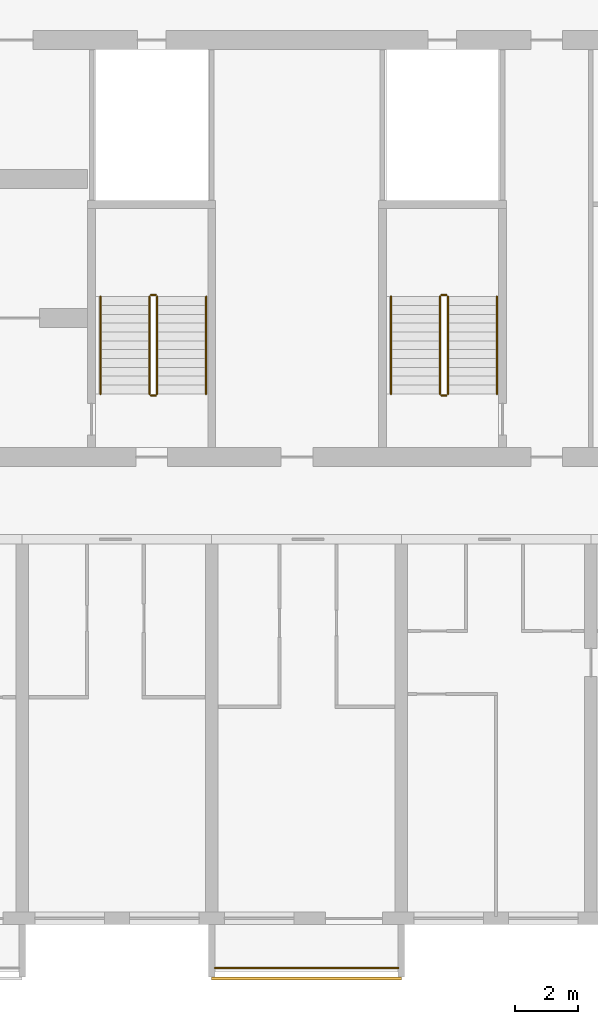
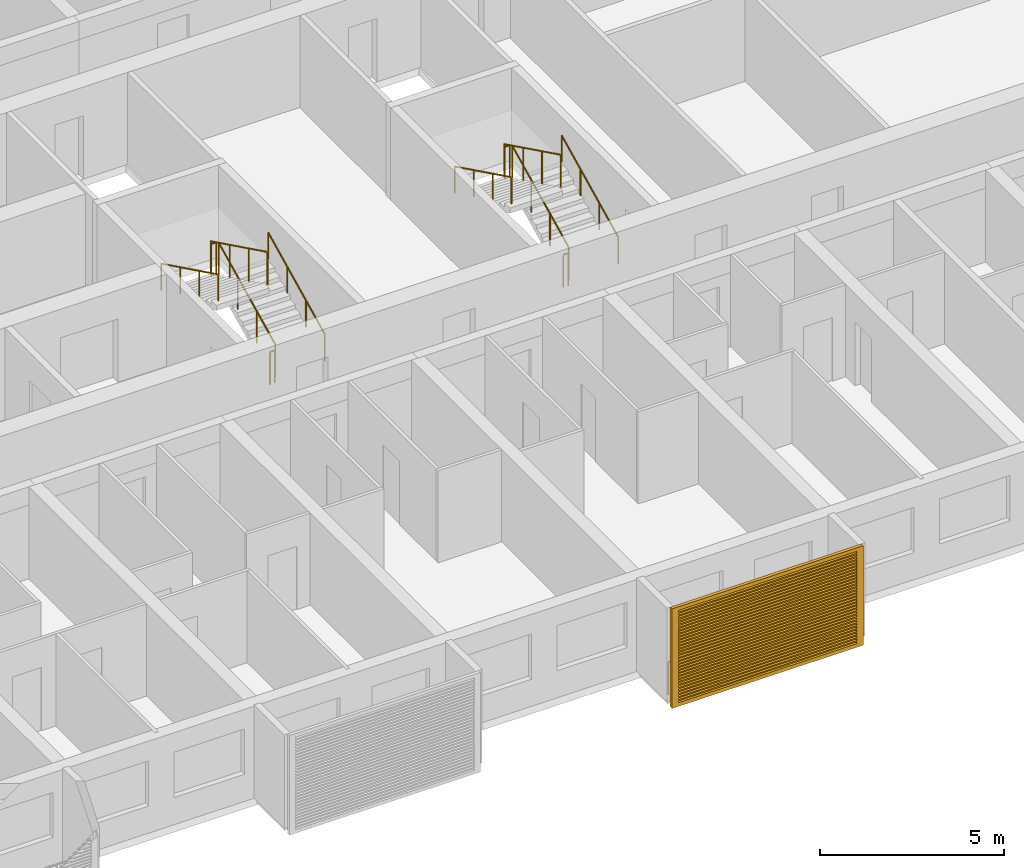
# One storey, part 38 of 44: 13 railings, 1 shading device.
"""IFC4 building model written with IfcOpenShell, lengths in metres."""

from ifc_helpers import new_model, si_unit, direction, frame, origin, origin_2d, place, context, subcontext, project, spatial, polyline, circle, outline, extrude, source, transform, mapped, material, material_profile, profile_set, type_object, element, save


model = new_model("IFC4")

# Units and contexts
model_context = context("Model", 3, precision=1e-05, world=origin(), true_north=direction((0.0, 1.0)))
body_context = subcontext(model_context, "Body", "Model", "MODEL_VIEW")
ifc_project = project(units=[si_unit("LENGTHUNIT", "METRE"), si_unit("AREAUNIT", "SQUARE_METRE"), si_unit("VOLUMEUNIT", "CUBIC_METRE"), si_unit("PLANEANGLEUNIT", "RADIAN"), si_unit("MASSUNIT", "GRAM", prefix="KILO")], contexts=[model_context])

# Site, building, storey
site_placement = place(None, origin())
site = spatial("IfcSite", under=ifc_project, at=site_placement, CompositionType="ELEMENT")
building_placement = place(site_placement, origin())
building = spatial("IfcBuilding", under=site, at=building_placement, Name="Poui Terraces", CompositionType="ELEMENT")
storey_placement = place(building_placement, frame((0.0, 0.0, 26.699951171875)))
storey = spatial("IfcBuildingStorey", under=building, at=storey_placement, Name="L06", CompositionType="ELEMENT", Elevation=26.699951171875)

# Railings
ifc_material_1 = material(Name="Painted steel fretwork", Category="steel")
railing_type_1 = type_object("IfcRailingType", Name="BALCONY GUARD 1100", PredefinedType="GUARDRAIL", material=ifc_material_1)
railing_1_placement = place(storey_placement, frame((72.10009765625, -1.570068359375, 0.0)))
element("IfcRailing", 1, at=railing_1_placement, inside=storey, type_object=railing_type_1, Name="BALCONY GUARD", PredefinedType="GUARDRAIL", context=body_context, shape_type="SweptSolid", body=[
    extrude(circle(Radius=0.02392578125, at=origin_2d()), frame((0.0, 0.0, 1.076171875), z_axis=(1.0, 0.0, 0.0), x_axis=(0.0, 1.0, 0.0)), (0.0, 0.0, 1.0), 5.7998046875),
    extrude(circle(Radius=0.02099609375, at=origin_2d()), origin(), (0.0, 0.0, 1.0), 1.052001953125),
    extrude(circle(Radius=0.02099609375, at=origin_2d()), frame((0.966552734375, 0.0, 0.0)), (0.0, 0.0, 1.0), 1.052001953125),
    extrude(circle(Radius=0.02099609375, at=origin_2d()), frame((1.933349609375, 0.0, 0.0)), (0.0, 0.0, 1.0), 1.052001953125),
    extrude(circle(Radius=0.02099609375, at=origin_2d()), frame((2.89990234375, 0.0, 0.0)), (0.0, 0.0, 1.0), 1.052001953125),
    extrude(circle(Radius=0.02099609375, at=origin_2d()), frame((3.866455078125, 0.0, 0.0)), (0.0, 0.0, 1.0), 1.052001953125),
    extrude(circle(Radius=0.02099609375, at=origin_2d()), frame((4.833251953125, 0.0, 0.0)), (0.0, 0.0, 1.0), 1.052001953125),
    extrude(circle(Radius=0.02099609375, at=origin_2d()), frame((5.7998046875, 0.0, 0.0)), (0.0, 0.0, 1.0), 1.052001953125),
])
ifc_material_2 = material(Name="Galvanised steel balustrade", Category="steel")
railing_type_2 = type_object("IfcRailingType", Name="STAIR GUARD 1100", PredefinedType="GUARDRAIL", material=ifc_material_2)
railing_2_placement = place(storey_placement, frame((70.27490234375, 16.60009765625, 0.137451171875)))
element("IfcRailing", 2, at=railing_2_placement, inside=storey, type_object=railing_type_2, Name="L06 ST-CE stair guard 1", PredefinedType="GUARDRAIL", context=body_context, shape_type="SweptSolid", body=[
    extrude(circle(Radius=0.02392578125, at=origin_2d()), frame((0.0, 0.0, 1.076171875), z_axis=(0.0, 0.897578036475, 0.440855609512), x_axis=(-1.0, 0.0, 0.0)), (0.0, 0.0, 1.0), 3.43115234375),
    extrude(circle(Radius=0.02099609375, at=origin_2d()), origin(), (0.0, 0.0, 1.0), 1.052001953125),
    extrude(circle(Radius=0.02099609375, at=origin_2d()), frame((0.0, 1.026611328125, 0.504150390625)), (0.0, 0.0, 1.0), 1.052001953125),
    extrude(circle(Radius=0.02099609375, at=origin_2d()), frame((0.0, 2.05322265625, 1.008544921875)), (0.0, 0.0, 1.0), 1.052001953125),
    extrude(circle(Radius=0.02099609375, at=origin_2d()), frame((0.0, 3.079833984375, 1.5126953125)), (0.0, 0.0, 1.0), 1.052001953125),
])
railing_3_placement = place(storey_placement, frame((70.22509765625, 19.72998046875, 1.650146484375)))
element("IfcRailing", 3, at=railing_3_placement, inside=storey, type_object=railing_type_2, Name="L06 ST-CE stair guard 2", PredefinedType="GUARDRAIL", context=body_context, shape_type="SweptSolid", body=[
    extrude(circle(Radius=0.02392578125, at=origin_2d()), frame((0.0, 0.0, 1.076171875), z_axis=(-1.0, 0.0, 0.0), x_axis=(0.0, -1.0, 0.0)), (0.0, 0.0, 1.0), 0.150146484375),
    extrude(circle(Radius=0.02099609375, at=origin_2d()), origin(), (0.0, 0.0, 1.0), 1.052001953125),
    extrude(circle(Radius=0.02099609375, at=origin_2d()), frame((-0.150146484375, 0.0, 0.0)), (0.0, 0.0, 1.0), 1.052001953125),
])
railing_4_placement = place(storey_placement, frame((70.02490234375, 19.679931640625, 1.78759765625)))
element("IfcRailing", 4, at=railing_4_placement, inside=storey, type_object=railing_type_2, Name="L06 ST-CE stair guard 3", PredefinedType="GUARDRAIL", context=body_context, shape_type="SweptSolid", body=[
    extrude(circle(Radius=0.02392578125, at=origin_2d()), frame((0.0, 0.0, 1.076171875), z_axis=(0.0, -0.897606190399, 0.440798283751), x_axis=(1.0, 0.0, 0.0)), (0.0, 0.0, 1.0), 3.43115234375),
    extrude(circle(Radius=0.02099609375, at=origin_2d()), origin(), (0.0, 0.0, 1.0), 1.052001953125),
    extrude(circle(Radius=0.02099609375, at=origin_2d()), frame((0.0, -1.026611328125, 0.504150390625)), (0.0, 0.0, 1.0), 1.052001953125),
    extrude(circle(Radius=0.02099609375, at=origin_2d()), frame((0.0, -2.05322265625, 1.00830078125)), (0.0, 0.0, 1.0), 1.052001953125),
    extrude(circle(Radius=0.02099609375, at=origin_2d()), frame((0.0, -3.079833984375, 1.512451171875)), (0.0, 0.0, 1.0), 1.052001953125),
])
railing_5_placement = place(storey_placement, frame((70.22509765625, 16.550048828125, 0.0)))
element("IfcRailing", 5, at=railing_5_placement, inside=storey, type_object=railing_type_2, Name="L06 ST-CE stair guard 4", PredefinedType="GUARDRAIL", context=body_context, shape_type="SweptSolid", body=[
    extrude(circle(Radius=0.02392578125, at=origin_2d()), frame((0.0, 0.0, 1.076171875), z_axis=(-1.0, 0.0, 0.0), x_axis=(0.0, -1.0, 0.0)), (0.0, 0.0, 1.0), 0.150146484375),
    extrude(circle(Radius=0.02099609375, at=origin_2d()), origin(), (0.0, 0.0, 1.0), 1.052001953125),
    extrude(circle(Radius=0.02099609375, at=origin_2d()), frame((-0.150146484375, 0.0, 0.0)), (0.0, 0.0, 1.0), 1.052001953125),
])
railing_6_placement = place(storey_placement, frame((79.47509765625, 16.60009765625, 0.137451171875)))
element("IfcRailing", 6, at=railing_6_placement, inside=storey, type_object=railing_type_2, Name="L06 ST-E stair guard 1", PredefinedType="GUARDRAIL", context=body_context, shape_type="SweptSolid", body=[
    extrude(circle(Radius=0.02392578125, at=origin_2d()), frame((0.0, 0.0, 1.076171875), z_axis=(0.0, 0.897578036475, 0.440855609512), x_axis=(-1.0, 0.0, 0.0)), (0.0, 0.0, 1.0), 3.43115234375),
    extrude(circle(Radius=0.02099609375, at=origin_2d()), origin(), (0.0, 0.0, 1.0), 1.052001953125),
    extrude(circle(Radius=0.02099609375, at=origin_2d()), frame((0.0, 1.026611328125, 0.504150390625)), (0.0, 0.0, 1.0), 1.052001953125),
    extrude(circle(Radius=0.02099609375, at=origin_2d()), frame((0.0, 2.05322265625, 1.008544921875)), (0.0, 0.0, 1.0), 1.052001953125),
    extrude(circle(Radius=0.02099609375, at=origin_2d()), frame((0.0, 3.079833984375, 1.5126953125)), (0.0, 0.0, 1.0), 1.052001953125),
])
railing_7_placement = place(storey_placement, frame((79.425048828125, 19.72998046875, 1.650146484375)))
element("IfcRailing", 7, at=railing_7_placement, inside=storey, type_object=railing_type_2, Name="L06 ST-E stair guard 2", PredefinedType="GUARDRAIL", context=body_context, shape_type="SweptSolid", body=[
    extrude(circle(Radius=0.02392578125, at=origin_2d()), frame((0.0, 0.0, 1.076171875), z_axis=(-1.0, 0.0, 0.0), x_axis=(0.0, -1.0, 0.0)), (0.0, 0.0, 1.0), 0.150146484375),
    extrude(circle(Radius=0.02099609375, at=origin_2d()), origin(), (0.0, 0.0, 1.0), 1.052001953125),
    extrude(circle(Radius=0.02099609375, at=origin_2d()), frame((-0.150146484375, 0.0, 0.0)), (0.0, 0.0, 1.0), 1.052001953125),
])
railing_8_placement = place(storey_placement, frame((79.22509765625, 19.679931640625, 1.78759765625)))
element("IfcRailing", 8, at=railing_8_placement, inside=storey, type_object=railing_type_2, Name="L06 ST-E stair guard 3", PredefinedType="GUARDRAIL", context=body_context, shape_type="SweptSolid", body=[
    extrude(circle(Radius=0.02392578125, at=origin_2d()), frame((0.0, 0.0, 1.076171875), z_axis=(0.0, -0.897606190399, 0.440798283751), x_axis=(1.0, 0.0, 0.0)), (0.0, 0.0, 1.0), 3.43115234375),
    extrude(circle(Radius=0.02099609375, at=origin_2d()), origin(), (0.0, 0.0, 1.0), 1.052001953125),
    extrude(circle(Radius=0.02099609375, at=origin_2d()), frame((0.0, -1.026611328125, 0.504150390625)), (0.0, 0.0, 1.0), 1.052001953125),
    extrude(circle(Radius=0.02099609375, at=origin_2d()), frame((0.0, -2.05322265625, 1.00830078125)), (0.0, 0.0, 1.0), 1.052001953125),
    extrude(circle(Radius=0.02099609375, at=origin_2d()), frame((0.0, -3.079833984375, 1.512451171875)), (0.0, 0.0, 1.0), 1.052001953125),
])
railing_9_placement = place(storey_placement, frame((79.425048828125, 16.550048828125, 0.0)))
element("IfcRailing", 9, at=railing_9_placement, inside=storey, type_object=railing_type_2, Name="L06 ST-E stair guard 4", PredefinedType="GUARDRAIL", context=body_context, shape_type="SweptSolid", body=[
    extrude(circle(Radius=0.02392578125, at=origin_2d()), frame((0.0, 0.0, 1.076171875), z_axis=(-1.0, 0.0, 0.0), x_axis=(0.0, -1.0, 0.0)), (0.0, 0.0, 1.0), 0.150146484375),
    extrude(circle(Radius=0.02099609375, at=origin_2d()), origin(), (0.0, 0.0, 1.0), 1.052001953125),
    extrude(circle(Radius=0.02099609375, at=origin_2d()), frame((-0.150146484375, 0.0, 0.0)), (0.0, 0.0, 1.0), 1.052001953125),
])
ifc_material_3 = material(Name="Stainless steel handrail", Category="steel")
railing_type_3 = type_object("IfcRailingType", Name="STAIR HANDRAIL 900", PredefinedType="HANDRAIL", material=ifc_material_3)
railing_10_placement = place(storey_placement, frame((71.824951171875, 16.60009765625, 0.137451171875)))
element("IfcRailing", 10, at=railing_10_placement, inside=storey, type_object=railing_type_3, Name="L06 ST-CE stair handrail 1", PredefinedType="HANDRAIL", context=body_context, shape_type="SweptSolid", body=[
    extrude(circle(Radius=0.02392578125, at=origin_2d()), frame((0.0, 0.0, 0.8759765625), z_axis=(0.0, 0.897578036475, 0.440855609512), x_axis=(-1.0, 0.0, 0.0)), (0.0, 0.0, 1.0), 3.43115234375),
    extrude(circle(Radius=0.02099609375, at=origin_2d()), origin(), (0.0, 0.0, 1.0), 0.851806640625),
    extrude(circle(Radius=0.02099609375, at=origin_2d()), frame((0.0, 1.026611328125, 0.504150390625)), (0.0, 0.0, 1.0), 0.851806640625),
    extrude(circle(Radius=0.02099609375, at=origin_2d()), frame((0.0, 2.05322265625, 1.008544921875)), (0.0, 0.0, 1.0), 0.851806640625),
    extrude(circle(Radius=0.02099609375, at=origin_2d()), frame((0.0, 3.079833984375, 1.5126953125)), (0.0, 0.0, 1.0), 0.851806640625),
])
railing_11_placement = place(storey_placement, frame((68.47509765625, 19.679931640625, 1.78759765625)))
element("IfcRailing", 11, at=railing_11_placement, inside=storey, type_object=railing_type_3, Name="L06 ST-CE stair handrail 2", PredefinedType="HANDRAIL", context=body_context, shape_type="SweptSolid", body=[
    extrude(circle(Radius=0.02392578125, at=origin_2d()), frame((0.0, 0.0, 0.8759765625), z_axis=(0.0, -0.897606190399, 0.440798283751), x_axis=(1.0, 0.0, 0.0)), (0.0, 0.0, 1.0), 3.43115234375),
    extrude(circle(Radius=0.02099609375, at=origin_2d()), origin(), (0.0, 0.0, 1.0), 0.851806640625),
    extrude(circle(Radius=0.02099609375, at=origin_2d()), frame((0.0, -1.026611328125, 0.504150390625)), (0.0, 0.0, 1.0), 0.851806640625),
    extrude(circle(Radius=0.02099609375, at=origin_2d()), frame((0.0, -2.05322265625, 1.00830078125)), (0.0, 0.0, 1.0), 0.851806640625),
    extrude(circle(Radius=0.02099609375, at=origin_2d()), frame((0.0, -3.079833984375, 1.512451171875)), (0.0, 0.0, 1.0), 0.851806640625),
])
railing_12_placement = place(storey_placement, frame((81.02490234375, 16.60009765625, 0.137451171875)))
element("IfcRailing", 12, at=railing_12_placement, inside=storey, type_object=railing_type_3, Name="L06 ST-E stair handrail 1", PredefinedType="HANDRAIL", context=body_context, shape_type="SweptSolid", body=[
    extrude(circle(Radius=0.02392578125, at=origin_2d()), frame((0.0, 0.0, 0.8759765625), z_axis=(0.0, 0.897578036475, 0.440855609512), x_axis=(-1.0, 0.0, 0.0)), (0.0, 0.0, 1.0), 3.43115234375),
    extrude(circle(Radius=0.02099609375, at=origin_2d()), origin(), (0.0, 0.0, 1.0), 0.851806640625),
    extrude(circle(Radius=0.02099609375, at=origin_2d()), frame((0.0, 1.026611328125, 0.504150390625)), (0.0, 0.0, 1.0), 0.851806640625),
    extrude(circle(Radius=0.02099609375, at=origin_2d()), frame((0.0, 2.05322265625, 1.008544921875)), (0.0, 0.0, 1.0), 0.851806640625),
    extrude(circle(Radius=0.02099609375, at=origin_2d()), frame((0.0, 3.079833984375, 1.5126953125)), (0.0, 0.0, 1.0), 0.851806640625),
])
railing_13_placement = place(storey_placement, frame((77.675048828125, 19.679931640625, 1.78759765625)))
element("IfcRailing", 13, at=railing_13_placement, inside=storey, type_object=railing_type_3, Name="L06 ST-E stair handrail 2", PredefinedType="HANDRAIL", context=body_context, shape_type="SweptSolid", body=[
    extrude(circle(Radius=0.02392578125, at=origin_2d()), frame((0.0, 0.0, 0.8759765625), z_axis=(0.0, -0.897606190399, 0.440798283751), x_axis=(1.0, 0.0, 0.0)), (0.0, 0.0, 1.0), 3.43115234375),
    extrude(circle(Radius=0.02099609375, at=origin_2d()), origin(), (0.0, 0.0, 1.0), 0.851806640625),
    extrude(circle(Radius=0.02099609375, at=origin_2d()), frame((0.0, -1.026611328125, 0.504150390625)), (0.0, 0.0, 1.0), 0.851806640625),
    extrude(circle(Radius=0.02099609375, at=origin_2d()), frame((0.0, -2.05322265625, 1.00830078125)), (0.0, 0.0, 1.0), 0.851806640625),
    extrude(circle(Radius=0.02099609375, at=origin_2d()), frame((0.0, -3.079833984375, 1.512451171875)), (0.0, 0.0, 1.0), 0.851806640625),
])

# Shading device
ifc_material_4 = material(Name="Aluminium louvre", Category="aluminium")
ifc_material_profile = material_profile(ifc_material_4, outline(polyline([(-3.0, -1.64990234375), (3.0, -1.64990234375), (3.0, 1.64990234375), (-3.0, 1.64990234375), (-3.0, -1.64990234375)]), holes=[polyline([(-2.800048828125, -1.530029296875), (2.800048828125, -1.530029296875), (2.800048828125, -1.469970703125), (-2.800048828125, -1.469970703125), (-2.800048828125, -1.530029296875)]), polyline([(-2.800048828125, -1.429931640625), (2.800048828125, -1.429931640625), (2.800048828125, -1.3701171875), (-2.800048828125, -1.3701171875), (-2.800048828125, -1.429931640625)]), polyline([(-2.800048828125, -1.330078125), (2.800048828125, -1.330078125), (2.800048828125, -1.27001953125), (-2.800048828125, -1.27001953125), (-2.800048828125, -1.330078125)]), polyline([(-2.800048828125, -1.22998046875), (2.800048828125, -1.22998046875), (2.800048828125, -1.169921875), (-2.800048828125, -1.169921875), (-2.800048828125, -1.22998046875)]), polyline([(-2.800048828125, -1.1298828125), (2.800048828125, -1.1298828125), (2.800048828125, -1.070068359375), (-2.800048828125, -1.070068359375), (-2.800048828125, -1.1298828125)]), polyline([(-2.800048828125, -1.030029296875), (2.800048828125, -1.030029296875), (2.800048828125, -0.969970703125), (-2.800048828125, -0.969970703125), (-2.800048828125, -1.030029296875)]), polyline([(-2.800048828125, -0.929931640625), (2.800048828125, -0.929931640625), (2.800048828125, -0.8701171875), (-2.800048828125, -0.8701171875), (-2.800048828125, -0.929931640625)]), polyline([(-2.800048828125, -0.830078125), (2.800048828125, -0.830078125), (2.800048828125, -0.77001953125), (-2.800048828125, -0.77001953125), (-2.800048828125, -0.830078125)]), polyline([(-2.800048828125, -0.72998046875), (2.800048828125, -0.72998046875), (2.800048828125, -0.669921875), (-2.800048828125, -0.669921875), (-2.800048828125, -0.72998046875)]), polyline([(-2.800048828125, -0.6298828125), (2.800048828125, -0.6298828125), (2.800048828125, -0.570068359375), (-2.800048828125, -0.570068359375), (-2.800048828125, -0.6298828125)]), polyline([(-2.800048828125, -0.530029296875), (2.800048828125, -0.530029296875), (2.800048828125, -0.469970703125), (-2.800048828125, -0.469970703125), (-2.800048828125, -0.530029296875)]), polyline([(-2.800048828125, -0.429931640625), (2.800048828125, -0.429931640625), (2.800048828125, -0.3701171875), (-2.800048828125, -0.3701171875), (-2.800048828125, -0.429931640625)]), polyline([(-2.800048828125, -0.330078125), (2.800048828125, -0.330078125), (2.800048828125, -0.27001953125), (-2.800048828125, -0.27001953125), (-2.800048828125, -0.330078125)]), polyline([(-2.800048828125, -0.22998046875), (2.800048828125, -0.22998046875), (2.800048828125, -0.169921875), (-2.800048828125, -0.169921875), (-2.800048828125, -0.22998046875)]), polyline([(-2.800048828125, -0.1298828125), (2.800048828125, -0.1298828125), (2.800048828125, -0.070068359375), (-2.800048828125, -0.070068359375), (-2.800048828125, -0.1298828125)]), polyline([(-2.800048828125, -0.030029296875), (2.800048828125, -0.030029296875), (2.800048828125, 0.030029296875), (-2.800048828125, 0.030029296875), (-2.800048828125, -0.030029296875)]), polyline([(-2.800048828125, 0.070068359375), (2.800048828125, 0.070068359375), (2.800048828125, 0.1298828125), (-2.800048828125, 0.1298828125), (-2.800048828125, 0.070068359375)]), polyline([(-2.800048828125, 0.169921875), (2.800048828125, 0.169921875), (2.800048828125, 0.22998046875), (-2.800048828125, 0.22998046875), (-2.800048828125, 0.169921875)]), polyline([(-2.800048828125, 0.27001953125), (2.800048828125, 0.27001953125), (2.800048828125, 0.330078125), (-2.800048828125, 0.330078125), (-2.800048828125, 0.27001953125)]), polyline([(-2.800048828125, 0.3701171875), (2.800048828125, 0.3701171875), (2.800048828125, 0.429931640625), (-2.800048828125, 0.429931640625), (-2.800048828125, 0.3701171875)]), polyline([(-2.800048828125, 0.469970703125), (2.800048828125, 0.469970703125), (2.800048828125, 0.530029296875), (-2.800048828125, 0.530029296875), (-2.800048828125, 0.469970703125)]), polyline([(-2.800048828125, 0.570068359375), (2.800048828125, 0.570068359375), (2.800048828125, 0.6298828125), (-2.800048828125, 0.6298828125), (-2.800048828125, 0.570068359375)]), polyline([(-2.800048828125, 0.669921875), (2.800048828125, 0.669921875), (2.800048828125, 0.72998046875), (-2.800048828125, 0.72998046875), (-2.800048828125, 0.669921875)]), polyline([(-2.800048828125, 0.77001953125), (2.800048828125, 0.77001953125), (2.800048828125, 0.830078125), (-2.800048828125, 0.830078125), (-2.800048828125, 0.77001953125)]), polyline([(-2.800048828125, 0.8701171875), (2.800048828125, 0.8701171875), (2.800048828125, 0.929931640625), (-2.800048828125, 0.929931640625), (-2.800048828125, 0.8701171875)]), polyline([(-2.800048828125, 0.969970703125), (2.800048828125, 0.969970703125), (2.800048828125, 1.030029296875), (-2.800048828125, 1.030029296875), (-2.800048828125, 0.969970703125)]), polyline([(-2.800048828125, 1.070068359375), (2.800048828125, 1.070068359375), (2.800048828125, 1.1298828125), (-2.800048828125, 1.1298828125), (-2.800048828125, 1.070068359375)]), polyline([(-2.800048828125, 1.169921875), (2.800048828125, 1.169921875), (2.800048828125, 1.22998046875), (-2.800048828125, 1.22998046875), (-2.800048828125, 1.169921875)]), polyline([(-2.800048828125, 1.27001953125), (2.800048828125, 1.27001953125), (2.800048828125, 1.330078125), (-2.800048828125, 1.330078125), (-2.800048828125, 1.27001953125)]), polyline([(-2.800048828125, 1.3701171875), (2.800048828125, 1.3701171875), (2.800048828125, 1.429931640625), (-2.800048828125, 1.429931640625), (-2.800048828125, 1.3701171875)]), polyline([(-2.800048828125, 1.469970703125), (2.800048828125, 1.469970703125), (2.800048828125, 1.530029296875), (-2.800048828125, 1.530029296875), (-2.800048828125, 1.469970703125)])]), Name="JALOUSIE LOUVRE SHUTTER 6000X3300")
ifc_profile_set = profile_set([ifc_material_profile], Name="Aluminium louvre")
shading_device_type = type_object("IfcShadingDeviceType", Name="JALOUSIE LOUVRE SHUTTER 6000X3300", PredefinedType="JALOUSIE", material=ifc_profile_set)
shared_shape = source(origin(), body_context, "Body", "SweptSolid", [
    extrude(outline(polyline([(-3.0, -1.64990234375), (3.0, -1.64990234375), (3.0, 1.64990234375), (-3.0, 1.64990234375), (-3.0, -1.64990234375)]), holes=[polyline([(-2.800048828125, -1.530029296875), (2.800048828125, -1.530029296875), (2.800048828125, -1.469970703125), (-2.800048828125, -1.469970703125), (-2.800048828125, -1.530029296875)]), polyline([(-2.800048828125, -1.429931640625), (2.800048828125, -1.429931640625), (2.800048828125, -1.3701171875), (-2.800048828125, -1.3701171875), (-2.800048828125, -1.429931640625)]), polyline([(-2.800048828125, -1.330078125), (2.800048828125, -1.330078125), (2.800048828125, -1.27001953125), (-2.800048828125, -1.27001953125), (-2.800048828125, -1.330078125)]), polyline([(-2.800048828125, -1.22998046875), (2.800048828125, -1.22998046875), (2.800048828125, -1.169921875), (-2.800048828125, -1.169921875), (-2.800048828125, -1.22998046875)]), polyline([(-2.800048828125, -1.1298828125), (2.800048828125, -1.1298828125), (2.800048828125, -1.070068359375), (-2.800048828125, -1.070068359375), (-2.800048828125, -1.1298828125)]), polyline([(-2.800048828125, -1.030029296875), (2.800048828125, -1.030029296875), (2.800048828125, -0.969970703125), (-2.800048828125, -0.969970703125), (-2.800048828125, -1.030029296875)]), polyline([(-2.800048828125, -0.929931640625), (2.800048828125, -0.929931640625), (2.800048828125, -0.8701171875), (-2.800048828125, -0.8701171875), (-2.800048828125, -0.929931640625)]), polyline([(-2.800048828125, -0.830078125), (2.800048828125, -0.830078125), (2.800048828125, -0.77001953125), (-2.800048828125, -0.77001953125), (-2.800048828125, -0.830078125)]), polyline([(-2.800048828125, -0.72998046875), (2.800048828125, -0.72998046875), (2.800048828125, -0.669921875), (-2.800048828125, -0.669921875), (-2.800048828125, -0.72998046875)]), polyline([(-2.800048828125, -0.6298828125), (2.800048828125, -0.6298828125), (2.800048828125, -0.570068359375), (-2.800048828125, -0.570068359375), (-2.800048828125, -0.6298828125)]), polyline([(-2.800048828125, -0.530029296875), (2.800048828125, -0.530029296875), (2.800048828125, -0.469970703125), (-2.800048828125, -0.469970703125), (-2.800048828125, -0.530029296875)]), polyline([(-2.800048828125, -0.429931640625), (2.800048828125, -0.429931640625), (2.800048828125, -0.3701171875), (-2.800048828125, -0.3701171875), (-2.800048828125, -0.429931640625)]), polyline([(-2.800048828125, -0.330078125), (2.800048828125, -0.330078125), (2.800048828125, -0.27001953125), (-2.800048828125, -0.27001953125), (-2.800048828125, -0.330078125)]), polyline([(-2.800048828125, -0.22998046875), (2.800048828125, -0.22998046875), (2.800048828125, -0.169921875), (-2.800048828125, -0.169921875), (-2.800048828125, -0.22998046875)]), polyline([(-2.800048828125, -0.1298828125), (2.800048828125, -0.1298828125), (2.800048828125, -0.070068359375), (-2.800048828125, -0.070068359375), (-2.800048828125, -0.1298828125)]), polyline([(-2.800048828125, -0.030029296875), (2.800048828125, -0.030029296875), (2.800048828125, 0.030029296875), (-2.800048828125, 0.030029296875), (-2.800048828125, -0.030029296875)]), polyline([(-2.800048828125, 0.070068359375), (2.800048828125, 0.070068359375), (2.800048828125, 0.1298828125), (-2.800048828125, 0.1298828125), (-2.800048828125, 0.070068359375)]), polyline([(-2.800048828125, 0.169921875), (2.800048828125, 0.169921875), (2.800048828125, 0.22998046875), (-2.800048828125, 0.22998046875), (-2.800048828125, 0.169921875)]), polyline([(-2.800048828125, 0.27001953125), (2.800048828125, 0.27001953125), (2.800048828125, 0.330078125), (-2.800048828125, 0.330078125), (-2.800048828125, 0.27001953125)]), polyline([(-2.800048828125, 0.3701171875), (2.800048828125, 0.3701171875), (2.800048828125, 0.429931640625), (-2.800048828125, 0.429931640625), (-2.800048828125, 0.3701171875)]), polyline([(-2.800048828125, 0.469970703125), (2.800048828125, 0.469970703125), (2.800048828125, 0.530029296875), (-2.800048828125, 0.530029296875), (-2.800048828125, 0.469970703125)]), polyline([(-2.800048828125, 0.570068359375), (2.800048828125, 0.570068359375), (2.800048828125, 0.6298828125), (-2.800048828125, 0.6298828125), (-2.800048828125, 0.570068359375)]), polyline([(-2.800048828125, 0.669921875), (2.800048828125, 0.669921875), (2.800048828125, 0.72998046875), (-2.800048828125, 0.72998046875), (-2.800048828125, 0.669921875)]), polyline([(-2.800048828125, 0.77001953125), (2.800048828125, 0.77001953125), (2.800048828125, 0.830078125), (-2.800048828125, 0.830078125), (-2.800048828125, 0.77001953125)]), polyline([(-2.800048828125, 0.8701171875), (2.800048828125, 0.8701171875), (2.800048828125, 0.929931640625), (-2.800048828125, 0.929931640625), (-2.800048828125, 0.8701171875)]), polyline([(-2.800048828125, 0.969970703125), (2.800048828125, 0.969970703125), (2.800048828125, 1.030029296875), (-2.800048828125, 1.030029296875), (-2.800048828125, 0.969970703125)]), polyline([(-2.800048828125, 1.070068359375), (2.800048828125, 1.070068359375), (2.800048828125, 1.1298828125), (-2.800048828125, 1.1298828125), (-2.800048828125, 1.070068359375)]), polyline([(-2.800048828125, 1.169921875), (2.800048828125, 1.169921875), (2.800048828125, 1.22998046875), (-2.800048828125, 1.22998046875), (-2.800048828125, 1.169921875)]), polyline([(-2.800048828125, 1.27001953125), (2.800048828125, 1.27001953125), (2.800048828125, 1.330078125), (-2.800048828125, 1.330078125), (-2.800048828125, 1.27001953125)]), polyline([(-2.800048828125, 1.3701171875), (2.800048828125, 1.3701171875), (2.800048828125, 1.429931640625), (-2.800048828125, 1.429931640625), (-2.800048828125, 1.3701171875)]), polyline([(-2.800048828125, 1.469970703125), (2.800048828125, 1.469970703125), (2.800048828125, 1.530029296875), (-2.800048828125, 1.530029296875), (-2.800048828125, 1.469970703125)])]), origin(), (0.0, 0.0, 1.0), 0.099853515625),
])
shading_device_placement = place(storey_placement, frame((75.0, -1.85009765625, 1.449951171875), z_axis=(0.0, -1.0, 0.0), x_axis=(1.0, 0.0, 0.0)))
element("IfcShadingDevice", 14, at=shading_device_placement, inside=storey, type_object=shading_device_type, Name="JALOUSIE LOUVRE SHUTTER", PredefinedType="JALOUSIE", context=body_context, shape_type="MappedRepresentation", body=[
    mapped(shared_shape, transform((0.0, 0.0, 0.0))),
])

save(model, "model.ifc")
